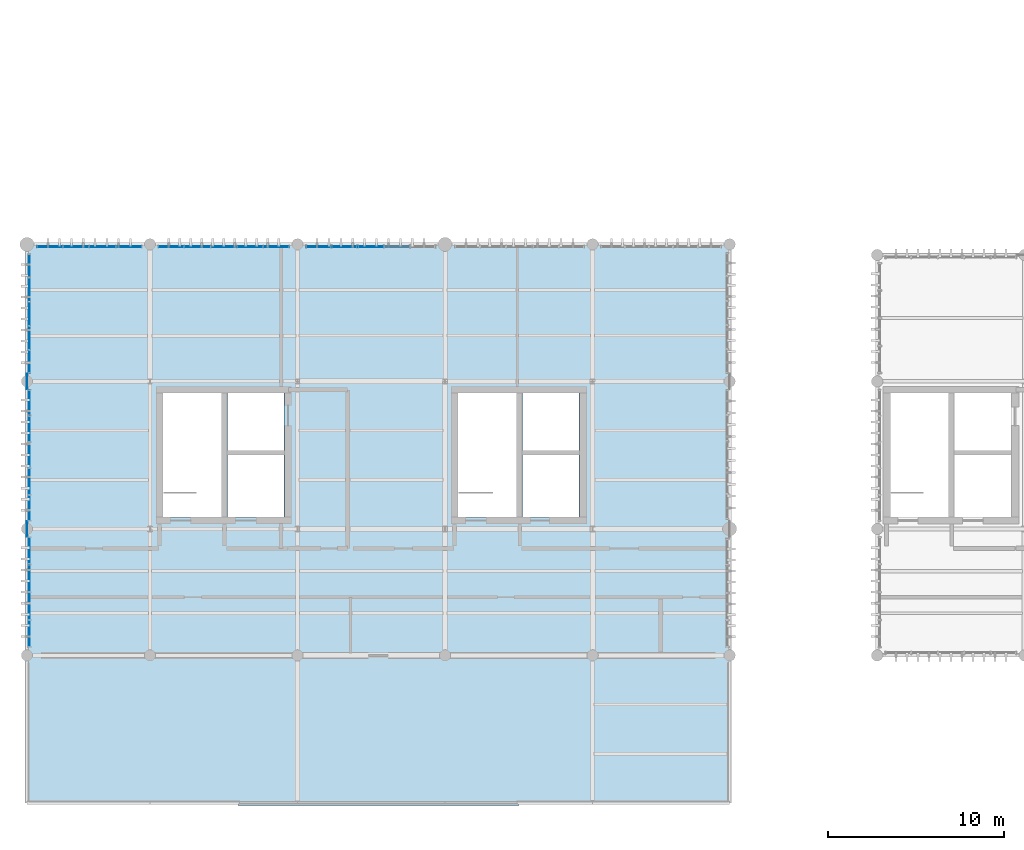
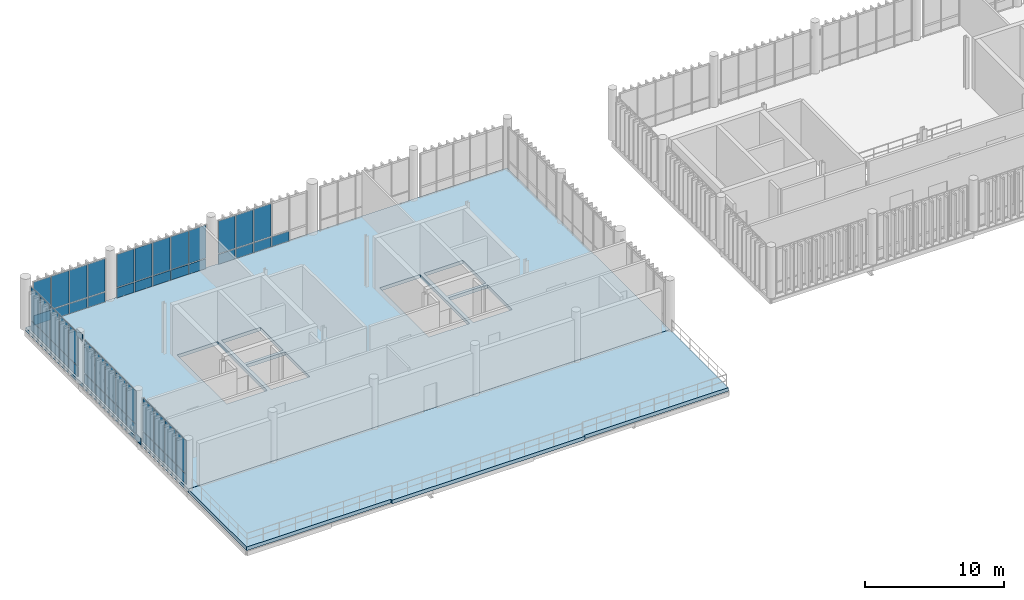
# One storey, part 49 of 66: 55 plates, 2 slabs, 6 elements without a shape of their own.
"""IFC4 building model written with IfcOpenShell, lengths in metres."""

from ifc_helpers import new_model, si_unit, direction, frame, frame_2d, origin_with_axes, origin_2d_with_axis, place, context, subcontext, project, spatial, polyline, rectangle, outline, extrude, material, layer, layer_set, type_object, element, aggregate, save


model = new_model("IFC4")

# Units and contexts
model_context = context("Model", 3, precision=1e-05, world=origin_with_axes(), true_north=direction((0.0, 1.0)))
body_context = subcontext(model_context, "Body", "Model", "MODEL_VIEW")
ifc_project = project(units=[si_unit("LENGTHUNIT", "METRE"), si_unit("AREAUNIT", "SQUARE_METRE"), si_unit("VOLUMEUNIT", "CUBIC_METRE"), si_unit("PLANEANGLEUNIT", "RADIAN"), si_unit("MASSUNIT", "GRAM", prefix="KILO"), si_unit("THERMODYNAMICTEMPERATUREUNIT", "KELVIN")], contexts=[model_context])

# Site, building, storey
site_placement = place(None, origin_with_axes())
site = spatial("IfcSite", under=ifc_project, at=site_placement, CompositionType="ELEMENT")
building_placement = place(site_placement, origin_with_axes())
building = spatial("IfcBuilding", under=site, at=building_placement, Name="Montbau Bow Law Courts", CompositionType="ELEMENT")
storey_placement = place(building_placement, frame((0.0, 0.0, 34.5), z_axis=(0.0, 0.0, 1.0), x_axis=(1.0, 0.0, 0.0)))
storey = spatial("IfcBuildingStorey", under=building, at=storey_placement, Name="L07", CompositionType="ELEMENT", Elevation=34.5)

# Curtain wall, plates
ifc_material_1 = material(Name="Thermally Broken Extruded Aluminium AA 6063-T6", Category="aluminium")
curtain_wall_type = type_object("IfcCurtainWallType", Name="CW-TRC-02", PredefinedType="NOTDEFINED", material=ifc_material_1)
curtain_wall_1_placement = place(None, frame((7.315, 62.26, 34.5), z_axis=(0.0, 0.0, 1.0), x_axis=(1.0, 0.0, 0.0)))
curtain_wall_1 = element("IfcCurtainWall", 1, at=curtain_wall_1_placement, inside=storey, type_object=curtain_wall_type, Name="CW-L07-112:cw_0112", PredefinedType="NOTDEFINED")
ifc_material_2 = material(Name="Triple-Glazed Low-E Argon Insulating Glass Unit", Category="glass")
ifc_layer_1 = layer(ifc_material_2, 0.044, Name="Curtain Panel", Category="glass")
ifc_layer_set_1 = layer_set([ifc_layer_1], Name="Triple-Glazed Low-E Argon Insulating Glass Unit")
plate_type_1 = type_object("IfcPlateType", Name="PL-CWP-01", PredefinedType="CURTAIN_PANEL", material=ifc_layer_set_1)
plate_1_placement = place(None, frame((7.383, 62.26, 35.482), z_axis=(0.0, -1.0, 0.0), x_axis=(1.0, 0.0, 0.0)))
plate_1 = element("IfcPlate", 2, at=plate_1_placement, type_object=plate_type_1, Name="CW-L07-112-P01-2:cw_0112_P01_2", PredefinedType="CURTAIN_PANEL", context=body_context, shape_type="SweptSolid", body=[
    extrude(rectangle(XDim=1.408, YDim=2.876, at=frame_2d((0.704, 1.438), x_axis=(1.0, 0.0))), frame((0.0, 0.0, -0.022), z_axis=(0.0, 0.0, 1.0), x_axis=(1.0, 0.0, 0.0)), (0.0, 0.0, 1.0), 0.044),
])
plate_2_placement = place(None, frame((8.86, 62.26, 35.482), z_axis=(0.0, -1.0, 0.0), x_axis=(1.0, 0.0, 0.0)))
plate_2 = element("IfcPlate", 3, at=plate_2_placement, type_object=plate_type_1, Name="CW-L07-112-P02-2:cw_0112_P02_2", PredefinedType="CURTAIN_PANEL", context=body_context, shape_type="SweptSolid", body=[
    extrude(rectangle(XDim=1.442, YDim=2.876, at=frame_2d((0.721, 1.438), x_axis=(1.0, 0.0))), frame((0.0, 0.0, -0.022), z_axis=(0.0, 0.0, 1.0), x_axis=(1.0, 0.0, 0.0)), (0.0, 0.0, 1.0), 0.044),
])
plate_3_placement = place(None, frame((10.371, 62.26, 35.482), z_axis=(0.0, -1.0, 0.0), x_axis=(1.0, 0.0, 0.0)))
plate_3 = element("IfcPlate", 4, at=plate_3_placement, type_object=plate_type_1, Name="CW-L07-112-P03-2:cw_0112_P03_2", PredefinedType="CURTAIN_PANEL", context=body_context, shape_type="SweptSolid", body=[
    extrude(rectangle(XDim=1.444, YDim=2.876, at=frame_2d((0.722, 1.438), x_axis=(1.0, 0.0))), frame((0.0, 0.0, -0.022), z_axis=(0.0, 0.0, 1.0), x_axis=(1.0, 0.0, 0.0)), (0.0, 0.0, 1.0), 0.044),
])
plate_4_placement = place(None, frame((11.883, 62.26, 35.482), z_axis=(0.0, -1.0, 0.0), x_axis=(1.0, 0.0, 0.0)))
plate_4 = element("IfcPlate", 5, at=plate_4_placement, type_object=plate_type_1, Name="CW-L07-112-P04-2:cw_0112_P04_2", PredefinedType="CURTAIN_PANEL", context=body_context, shape_type="SweptSolid", body=[
    extrude(rectangle(XDim=1.41, YDim=2.876, at=frame_2d((0.705, 1.438), x_axis=(1.0, 0.0))), frame((0.0, 0.0, -0.022), z_axis=(0.0, 0.0, 1.0), x_axis=(1.0, 0.0, 0.0)), (0.0, 0.0, 1.0), 0.044),
])

curtain_wall_2_placement = place(None, frame((14.24, 62.26, 34.5), z_axis=(0.0, 0.0, 1.0), x_axis=(1.0, 0.0, 0.0)))
curtain_wall_2 = element("IfcCurtainWall", 6, at=curtain_wall_2_placement, inside=storey, type_object=curtain_wall_type, Name="CW-L07-113:cw_0113", PredefinedType="NOTDEFINED")
plate_5_placement = place(None, frame((14.302, 62.26, 35.48), z_axis=(0.0, -1.0, 0.0), x_axis=(1.0, 0.0, 0.0)))
plate_5 = element("IfcPlate", 7, at=plate_5_placement, type_object=plate_type_1, Name="CW-L07-113-P01-2:cw_0113_P01_2", PredefinedType="CURTAIN_PANEL", context=body_context, shape_type="SweptSolid", body=[
    extrude(rectangle(XDim=1.41, YDim=2.882, at=frame_2d((0.705, 1.441), x_axis=(1.0, 0.0))), frame((0.0, 0.0, -0.022), z_axis=(0.0, 0.0, 1.0), x_axis=(1.0, 0.0, 0.0)), (0.0, 0.0, 1.0), 0.044),
])
plate_6_placement = place(None, frame((15.776, 62.26, 35.48), z_axis=(0.0, -1.0, 0.0), x_axis=(1.0, 0.0, 0.0)))
plate_6 = element("IfcPlate", 8, at=plate_6_placement, type_object=plate_type_1, Name="CW-L07-113-P02-2:cw_0113_P02_2", PredefinedType="CURTAIN_PANEL", context=body_context, shape_type="SweptSolid", body=[
    extrude(rectangle(XDim=1.44, YDim=2.882, at=frame_2d((0.72, 1.441), x_axis=(1.0, 0.0))), frame((0.0, 0.0, -0.022), z_axis=(0.0, 0.0, 1.0), x_axis=(1.0, 0.0, 0.0)), (0.0, 0.0, 1.0), 0.044),
])
plate_7_placement = place(None, frame((17.28, 62.26, 35.48), z_axis=(0.0, -1.0, 0.0), x_axis=(1.0, 0.0, 0.0)))
plate_7 = element("IfcPlate", 9, at=plate_7_placement, type_object=plate_type_1, Name="CW-L07-113-P03-2:cw_0113_P03_2", PredefinedType="CURTAIN_PANEL", context=body_context, shape_type="SweptSolid", body=[
    extrude(rectangle(XDim=1.44, YDim=2.882, at=frame_2d((0.72, 1.441), x_axis=(1.0, 0.0))), frame((0.0, 0.0, -0.022), z_axis=(0.0, 0.0, 1.0), x_axis=(1.0, 0.0, 0.0)), (0.0, 0.0, 1.0), 0.044),
])
plate_8_placement = place(None, frame((18.784, 62.26, 35.48), z_axis=(0.0, -1.0, 0.0), x_axis=(1.0, 0.0, 0.0)))
plate_8 = element("IfcPlate", 10, at=plate_8_placement, type_object=plate_type_1, Name="CW-L07-113-P04-2:cw_0113_P04_2", PredefinedType="CURTAIN_PANEL", context=body_context, shape_type="SweptSolid", body=[
    extrude(rectangle(XDim=1.44, YDim=2.882, at=frame_2d((0.72, 1.441), x_axis=(1.0, 0.0))), frame((0.0, 0.0, -0.022), z_axis=(0.0, 0.0, 1.0), x_axis=(1.0, 0.0, 0.0)), (0.0, 0.0, 1.0), 0.044),
])
plate_9_placement = place(None, frame((20.288, 62.26, 35.48), z_axis=(0.0, -1.0, 0.0), x_axis=(1.0, 0.0, 0.0)))
plate_9 = element("IfcPlate", 11, at=plate_9_placement, type_object=plate_type_1, Name="CW-L07-113-P05-2:cw_0113_P05_2", PredefinedType="CURTAIN_PANEL", context=body_context, shape_type="SweptSolid", body=[
    extrude(rectangle(XDim=1.41, YDim=2.882, at=frame_2d((0.705, 1.441), x_axis=(1.0, 0.0))), frame((0.0, 0.0, -0.022), z_axis=(0.0, 0.0, 1.0), x_axis=(1.0, 0.0, 0.0)), (0.0, 0.0, 1.0), 0.044),
])

curtain_wall_3_placement = place(None, frame((22.64, 62.26, 34.5), z_axis=(0.0, 0.0, 1.0), x_axis=(1.0, 0.0, 0.0)))
curtain_wall_3 = element("IfcCurtainWall", 12, at=curtain_wall_3_placement, inside=storey, type_object=curtain_wall_type, Name="CW-L07-114:cw_0114", PredefinedType="NOTDEFINED")
plate_10_placement = place(None, frame((22.716, 62.26, 35.482), z_axis=(0.0, -1.0, 0.0), x_axis=(1.0, 0.0, 0.0)))
plate_10 = element("IfcPlate", 13, at=plate_10_placement, type_object=plate_type_1, Name="CW-L07-114-P01-2:cw_0114_P01_2", PredefinedType="CURTAIN_PANEL", context=body_context, shape_type="SweptSolid", body=[
    extrude(rectangle(XDim=1.374, YDim=2.876, at=frame_2d((0.687, 1.438), x_axis=(1.0, 0.0))), frame((0.0, 0.0, -0.022), z_axis=(0.0, 0.0, 1.0), x_axis=(1.0, 0.0, 0.0)), (0.0, 0.0, 1.0), 0.044),
])
plate_11_placement = place(None, frame((24.169, 62.26, 35.482), z_axis=(0.0, -1.0, 0.0), x_axis=(1.0, 0.0, 0.0)))
plate_11 = element("IfcPlate", 14, at=plate_11_placement, type_object=plate_type_1, Name="CW-L07-114-P02-2:cw_0114_P02_2", PredefinedType="CURTAIN_PANEL", context=body_context, shape_type="SweptSolid", body=[
    extrude(rectangle(XDim=1.41, YDim=2.876, at=frame_2d((0.705, 1.438), x_axis=(1.0, 0.0))), frame((0.0, 0.0, -0.022), z_axis=(0.0, 0.0, 1.0), x_axis=(1.0, 0.0, 0.0)), (0.0, 0.0, 1.0), 0.044),
])
plate_12_placement = place(None, frame((25.658, 62.26, 35.482), z_axis=(0.0, -1.0, 0.0), x_axis=(1.0, 0.0, 0.0)))
plate_12 = element("IfcPlate", 15, at=plate_12_placement, type_object=plate_type_1, Name="CW-L07-114-P03-2:cw_0114_P03_2", PredefinedType="CURTAIN_PANEL", context=body_context, shape_type="SweptSolid", body=[
    extrude(rectangle(XDim=1.41, YDim=2.876, at=frame_2d((0.705, 1.438), x_axis=(1.0, 0.0))), frame((0.0, 0.0, -0.022), z_axis=(0.0, 0.0, 1.0), x_axis=(1.0, 0.0, 0.0)), (0.0, 0.0, 1.0), 0.044),
])

curtain_wall_4_placement = place(None, frame((6.94, 39.44, 34.5), z_axis=(0.0, 0.0, 1.0), x_axis=(1.0, 0.0, 0.0)))
curtain_wall_4 = element("IfcCurtainWall", 16, at=curtain_wall_4_placement, inside=storey, type_object=curtain_wall_type, Name="CW-L07-117:cw_0117", PredefinedType="NOTDEFINED")
plate_13_placement = place(None, frame((6.94, 39.516, 35.48), z_axis=(1.0, 0.0, 0.0), x_axis=(0.0, 1.0, 0.0)))
plate_13 = element("IfcPlate", 17, at=plate_13_placement, type_object=plate_type_1, Name="CW-L07-117-P01-2:cw_0117_P01_2", PredefinedType="CURTAIN_PANEL", context=body_context, shape_type="SweptSolid", body=[
    extrude(rectangle(XDim=1.464, YDim=2.882, at=frame_2d((0.732, 1.441), x_axis=(1.0, 0.0))), frame((0.0, 0.0, -0.022), z_axis=(0.0, 0.0, 1.0), x_axis=(1.0, 0.0, 0.0)), (0.0, 0.0, 1.0), 0.044),
])
plate_14_placement = place(None, frame((6.94, 41.06, 35.48), z_axis=(1.0, 0.0, 0.0), x_axis=(0.0, 1.0, 0.0)))
plate_14 = element("IfcPlate", 18, at=plate_14_placement, type_object=plate_type_1, Name="CW-L07-117-P02-2:cw_0117_P02_2", PredefinedType="CURTAIN_PANEL", context=body_context, shape_type="SweptSolid", body=[
    extrude(rectangle(XDim=1.501, YDim=2.882, at=frame_2d((0.7505, 1.441), x_axis=(1.0, 0.0))), frame((0.0, 0.0, -0.022), z_axis=(0.0, 0.0, 1.0), x_axis=(1.0, 0.0, 0.0)), (0.0, 0.0, 1.0), 0.044),
])
plate_15_placement = place(None, frame((6.94, 42.64, 35.48), z_axis=(1.0, 0.0, 0.0), x_axis=(0.0, 1.0, 0.0)))
plate_15 = element("IfcPlate", 19, at=plate_15_placement, type_object=plate_type_1, Name="CW-L07-117-P03-2:cw_0117_P03_2", PredefinedType="CURTAIN_PANEL", context=body_context, shape_type="SweptSolid", body=[
    extrude(rectangle(XDim=1.501, YDim=2.882, at=frame_2d((0.7505, 1.441), x_axis=(1.0, 0.0))), frame((0.0, 0.0, -0.022), z_axis=(0.0, 0.0, 1.0), x_axis=(1.0, 0.0, 0.0)), (0.0, 0.0, 1.0), 0.044),
])
plate_16_placement = place(None, frame((6.94, 44.219, 35.48), z_axis=(1.0, 0.0, 0.0), x_axis=(0.0, 1.0, 0.0)))
plate_16 = element("IfcPlate", 20, at=plate_16_placement, type_object=plate_type_1, Name="CW-L07-117-P04-2:cw_0117_P04_2", PredefinedType="CURTAIN_PANEL", context=body_context, shape_type="SweptSolid", body=[
    extrude(rectangle(XDim=1.465, YDim=2.882, at=frame_2d((0.7325, 1.441), x_axis=(1.0, 0.0))), frame((0.0, 0.0, -0.022), z_axis=(0.0, 0.0, 1.0), x_axis=(1.0, 0.0, 0.0)), (0.0, 0.0, 1.0), 0.044),
])

curtain_wall_5_placement = place(None, frame((6.94, 46.64, 34.5), z_axis=(0.0, 0.0, 1.0), x_axis=(1.0, 0.0, 0.0)))
curtain_wall_5 = element("IfcCurtainWall", 21, at=curtain_wall_5_placement, inside=storey, type_object=curtain_wall_type, Name="CW-L07-118:cw_0118", PredefinedType="NOTDEFINED")
plate_17_placement = place(None, frame((6.94, 46.708, 35.482), z_axis=(1.0, 0.0, 0.0), x_axis=(0.0, 1.0, 0.0)))
plate_17 = element("IfcPlate", 22, at=plate_17_placement, type_object=plate_type_1, Name="CW-L07-118-P01-2:cw_0118_P01_2", PredefinedType="CURTAIN_PANEL", context=body_context, shape_type="SweptSolid", body=[
    extrude(rectangle(XDim=1.402, YDim=2.876, at=frame_2d((0.701, 1.438), x_axis=(1.0, 0.0))), frame((0.0, 0.0, -0.022), z_axis=(0.0, 0.0, 1.0), x_axis=(1.0, 0.0, 0.0)), (0.0, 0.0, 1.0), 0.044),
])
plate_18_placement = place(None, frame((6.94, 48.178, 35.482), z_axis=(1.0, 0.0, 0.0), x_axis=(0.0, 1.0, 0.0)))
plate_18 = element("IfcPlate", 23, at=plate_18_placement, type_object=plate_type_1, Name="CW-L07-118-P02-2:cw_0118_P02_2", PredefinedType="CURTAIN_PANEL", context=body_context, shape_type="SweptSolid", body=[
    extrude(rectangle(XDim=1.436, YDim=2.876, at=frame_2d((0.718, 1.438), x_axis=(1.0, 0.0))), frame((0.0, 0.0, -0.022), z_axis=(0.0, 0.0, 1.0), x_axis=(1.0, 0.0, 0.0)), (0.0, 0.0, 1.0), 0.044),
])
plate_19_placement = place(None, frame((6.94, 49.682, 35.482), z_axis=(1.0, 0.0, 0.0), x_axis=(0.0, 1.0, 0.0)))
plate_19 = element("IfcPlate", 24, at=plate_19_placement, type_object=plate_type_1, Name="CW-L07-118-P03-2:cw_0118_P03_2", PredefinedType="CURTAIN_PANEL", context=body_context, shape_type="SweptSolid", body=[
    extrude(rectangle(XDim=1.436, YDim=2.876, at=frame_2d((0.718, 1.438), x_axis=(1.0, 0.0))), frame((0.0, 0.0, -0.022), z_axis=(0.0, 0.0, 1.0), x_axis=(1.0, 0.0, 0.0)), (0.0, 0.0, 1.0), 0.044),
])
plate_20_placement = place(None, frame((6.94, 51.186, 35.482), z_axis=(1.0, 0.0, 0.0), x_axis=(0.0, 1.0, 0.0)))
plate_20 = element("IfcPlate", 25, at=plate_20_placement, type_object=plate_type_1, Name="CW-L07-118-P04-2:cw_0118_P04_2", PredefinedType="CURTAIN_PANEL", context=body_context, shape_type="SweptSolid", body=[
    extrude(rectangle(XDim=1.436, YDim=2.876, at=frame_2d((0.718, 1.438), x_axis=(1.0, 0.0))), frame((0.0, 0.0, -0.022), z_axis=(0.0, 0.0, 1.0), x_axis=(1.0, 0.0, 0.0)), (0.0, 0.0, 1.0), 0.044),
])
plate_21_placement = place(None, frame((6.94, 52.69, 35.482), z_axis=(1.0, 0.0, 0.0), x_axis=(0.0, 1.0, 0.0)))
plate_21 = element("IfcPlate", 26, at=plate_21_placement, type_object=plate_type_1, Name="CW-L07-118-P05-2:cw_0118_P05_2", PredefinedType="CURTAIN_PANEL", context=body_context, shape_type="SweptSolid", body=[
    extrude(rectangle(XDim=1.403, YDim=2.876, at=frame_2d((0.7015, 1.438), x_axis=(1.0, 0.0))), frame((0.0, 0.0, -0.022), z_axis=(0.0, 0.0, 1.0), x_axis=(1.0, 0.0, 0.0)), (0.0, 0.0, 1.0), 0.044),
])

curtain_wall_6_placement = place(None, frame((6.94, 55.04, 34.5), z_axis=(0.0, 0.0, 1.0), x_axis=(1.0, 0.0, 0.0)))
curtain_wall_6 = element("IfcCurtainWall", 27, at=curtain_wall_6_placement, inside=storey, type_object=curtain_wall_type, Name="CW-L07-119:cw_0119", PredefinedType="NOTDEFINED")
plate_22_placement = place(None, frame((6.94, 55.102, 35.48), z_axis=(1.0, 0.0, 0.0), x_axis=(0.0, 1.0, 0.0)))
plate_22 = element("IfcPlate", 28, at=plate_22_placement, type_object=plate_type_1, Name="CW-L07-119-P01-2:cw_0119_P01_2", PredefinedType="CURTAIN_PANEL", context=body_context, shape_type="SweptSolid", body=[
    extrude(rectangle(XDim=1.275, YDim=2.882, at=frame_2d((0.6375, 1.441), x_axis=(1.0, 0.0))), frame((0.0, 0.0, -0.022), z_axis=(0.0, 0.0, 1.0), x_axis=(1.0, 0.0, 0.0)), (0.0, 0.0, 1.0), 0.044),
])
plate_23_placement = place(None, frame((6.94, 56.441, 35.48), z_axis=(1.0, 0.0, 0.0), x_axis=(0.0, 1.0, 0.0)))
plate_23 = element("IfcPlate", 29, at=plate_23_placement, type_object=plate_type_1, Name="CW-L07-119-P02-2:cw_0119_P02_2", PredefinedType="CURTAIN_PANEL", context=body_context, shape_type="SweptSolid", body=[
    extrude(rectangle(XDim=1.305, YDim=2.882, at=frame_2d((0.6525, 1.441), x_axis=(1.0, 0.0))), frame((0.0, 0.0, -0.022), z_axis=(0.0, 0.0, 1.0), x_axis=(1.0, 0.0, 0.0)), (0.0, 0.0, 1.0), 0.044),
])
plate_24_placement = place(None, frame((6.94, 57.81, 35.48), z_axis=(1.0, 0.0, 0.0), x_axis=(0.0, 1.0, 0.0)))
plate_24 = element("IfcPlate", 30, at=plate_24_placement, type_object=plate_type_1, Name="CW-L07-119-P03-2:cw_0119_P03_2", PredefinedType="CURTAIN_PANEL", context=body_context, shape_type="SweptSolid", body=[
    extrude(rectangle(XDim=1.305, YDim=2.882, at=frame_2d((0.6525, 1.441), x_axis=(1.0, 0.0))), frame((0.0, 0.0, -0.022), z_axis=(0.0, 0.0, 1.0), x_axis=(1.0, 0.0, 0.0)), (0.0, 0.0, 1.0), 0.044),
])
plate_25_placement = place(None, frame((6.94, 59.179, 35.48), z_axis=(1.0, 0.0, 0.0), x_axis=(0.0, 1.0, 0.0)))
plate_25 = element("IfcPlate", 31, at=plate_25_placement, type_object=plate_type_1, Name="CW-L07-119-P04-2:cw_0119_P04_2", PredefinedType="CURTAIN_PANEL", context=body_context, shape_type="SweptSolid", body=[
    extrude(rectangle(XDim=1.305, YDim=2.882, at=frame_2d((0.6525, 1.441), x_axis=(1.0, 0.0))), frame((0.0, 0.0, -0.022), z_axis=(0.0, 0.0, 1.0), x_axis=(1.0, 0.0, 0.0)), (0.0, 0.0, 1.0), 0.044),
])
plate_26_placement = place(None, frame((6.94, 60.548, 35.48), z_axis=(1.0, 0.0, 0.0), x_axis=(0.0, 1.0, 0.0)))
plate_26 = element("IfcPlate", 32, at=plate_26_placement, type_object=plate_type_1, Name="CW-L07-119-P05-2:cw_0119_P05_2", PredefinedType="CURTAIN_PANEL", context=body_context, shape_type="SweptSolid", body=[
    extrude(rectangle(XDim=1.275, YDim=2.882, at=frame_2d((0.6375, 1.441), x_axis=(1.0, 0.0))), frame((0.0, 0.0, -0.022), z_axis=(0.0, 0.0, 1.0), x_axis=(1.0, 0.0, 0.0)), (0.0, 0.0, 1.0), 0.044),
])

# Plate
ifc_material_3 = material(Name="Insulated Ceramic-Frit Spandrel Glazing Unit", Category="glass")
ifc_layer_2 = layer(ifc_material_3, 0.056, Name="Curtain Panel", Category="glass")
ifc_layer_set_2 = layer_set([ifc_layer_2], Name="Insulated Ceramic-Frit Spandrel Glazing Unit")
plate_type_2 = type_object("IfcPlateType", Name="PL-CWP-02", PredefinedType="CURTAIN_PANEL", material=ifc_layer_set_2)
plate_27_placement = place(None, frame((7.383, 62.26, 34.562), z_axis=(0.0, -1.0, 0.0), x_axis=(1.0, 0.0, 0.0)))
plate_27 = element("IfcPlate", 33, at=plate_27_placement, type_object=plate_type_2, Name="CW-L07-112-P01-1:cw_0112_P01_1", PredefinedType="CURTAIN_PANEL", context=body_context, shape_type="SweptSolid", body=[
    extrude(rectangle(XDim=1.408, YDim=0.856, at=frame_2d((0.704, 0.428), x_axis=(1.0, 0.0))), frame((0.0, 0.0, -0.028), z_axis=(0.0, 0.0, 1.0), x_axis=(1.0, 0.0, 0.0)), (0.0, 0.0, 1.0), 0.056),
])

plate_28_placement = place(None, frame((8.86, 62.26, 34.562), z_axis=(0.0, -1.0, 0.0), x_axis=(1.0, 0.0, 0.0)))
plate_28 = element("IfcPlate", 34, at=plate_28_placement, type_object=plate_type_2, Name="CW-L07-112-P02-1:cw_0112_P02_1", PredefinedType="CURTAIN_PANEL", context=body_context, shape_type="SweptSolid", body=[
    extrude(rectangle(XDim=1.442, YDim=0.856, at=frame_2d((0.721, 0.428), x_axis=(1.0, 0.0))), frame((0.0, 0.0, -0.028), z_axis=(0.0, 0.0, 1.0), x_axis=(1.0, 0.0, 0.0)), (0.0, 0.0, 1.0), 0.056),
])

plate_29_placement = place(None, frame((10.371, 62.26, 34.562), z_axis=(0.0, -1.0, 0.0), x_axis=(1.0, 0.0, 0.0)))
plate_29 = element("IfcPlate", 35, at=plate_29_placement, type_object=plate_type_2, Name="CW-L07-112-P03-1:cw_0112_P03_1", PredefinedType="CURTAIN_PANEL", context=body_context, shape_type="SweptSolid", body=[
    extrude(rectangle(XDim=1.444, YDim=0.856, at=frame_2d((0.722, 0.428), x_axis=(1.0, 0.0))), frame((0.0, 0.0, -0.028), z_axis=(0.0, 0.0, 1.0), x_axis=(1.0, 0.0, 0.0)), (0.0, 0.0, 1.0), 0.056),
])

plate_30_placement = place(None, frame((11.883, 62.26, 34.562), z_axis=(0.0, -1.0, 0.0), x_axis=(1.0, 0.0, 0.0)))
plate_30 = element("IfcPlate", 36, at=plate_30_placement, type_object=plate_type_2, Name="CW-L07-112-P04-1:cw_0112_P04_1", PredefinedType="CURTAIN_PANEL", context=body_context, shape_type="SweptSolid", body=[
    extrude(rectangle(XDim=1.41, YDim=0.856, at=frame_2d((0.705, 0.428), x_axis=(1.0, 0.0))), frame((0.0, 0.0, -0.028), z_axis=(0.0, 0.0, 1.0), x_axis=(1.0, 0.0, 0.0)), (0.0, 0.0, 1.0), 0.056),
])

aggregate(curtain_wall_1, [plate_27, plate_1, plate_28, plate_2, plate_29, plate_3, plate_30, plate_4])

plate_31_placement = place(None, frame((14.302, 62.26, 34.558), z_axis=(0.0, -1.0, 0.0), x_axis=(1.0, 0.0, 0.0)))
plate_31 = element("IfcPlate", 37, at=plate_31_placement, type_object=plate_type_2, Name="CW-L07-113-P01-1:cw_0113_P01_1", PredefinedType="CURTAIN_PANEL", context=body_context, shape_type="SweptSolid", body=[
    extrude(rectangle(XDim=1.41, YDim=0.862, at=frame_2d((0.705, 0.431), x_axis=(1.0, 0.0))), frame((0.0, 0.0, -0.028), z_axis=(0.0, 0.0, 1.0), x_axis=(1.0, 0.0, 0.0)), (0.0, 0.0, 1.0), 0.056),
])

plate_32_placement = place(None, frame((15.776, 62.26, 34.558), z_axis=(0.0, -1.0, 0.0), x_axis=(1.0, 0.0, 0.0)))
plate_32 = element("IfcPlate", 38, at=plate_32_placement, type_object=plate_type_2, Name="CW-L07-113-P02-1:cw_0113_P02_1", PredefinedType="CURTAIN_PANEL", context=body_context, shape_type="SweptSolid", body=[
    extrude(rectangle(XDim=1.44, YDim=0.862, at=frame_2d((0.72, 0.431), x_axis=(1.0, 0.0))), frame((0.0, 0.0, -0.028), z_axis=(0.0, 0.0, 1.0), x_axis=(1.0, 0.0, 0.0)), (0.0, 0.0, 1.0), 0.056),
])

plate_33_placement = place(None, frame((17.28, 62.26, 34.558), z_axis=(0.0, -1.0, 0.0), x_axis=(1.0, 0.0, 0.0)))
plate_33 = element("IfcPlate", 39, at=plate_33_placement, type_object=plate_type_2, Name="CW-L07-113-P03-1:cw_0113_P03_1", PredefinedType="CURTAIN_PANEL", context=body_context, shape_type="SweptSolid", body=[
    extrude(rectangle(XDim=1.44, YDim=0.862, at=frame_2d((0.72, 0.431), x_axis=(1.0, 0.0))), frame((0.0, 0.0, -0.028), z_axis=(0.0, 0.0, 1.0), x_axis=(1.0, 0.0, 0.0)), (0.0, 0.0, 1.0), 0.056),
])

plate_34_placement = place(None, frame((18.784, 62.26, 34.558), z_axis=(0.0, -1.0, 0.0), x_axis=(1.0, 0.0, 0.0)))
plate_34 = element("IfcPlate", 40, at=plate_34_placement, type_object=plate_type_2, Name="CW-L07-113-P04-1:cw_0113_P04_1", PredefinedType="CURTAIN_PANEL", context=body_context, shape_type="SweptSolid", body=[
    extrude(rectangle(XDim=1.44, YDim=0.862, at=frame_2d((0.72, 0.431), x_axis=(1.0, 0.0))), frame((0.0, 0.0, -0.028), z_axis=(0.0, 0.0, 1.0), x_axis=(1.0, 0.0, 0.0)), (0.0, 0.0, 1.0), 0.056),
])

plate_35_placement = place(None, frame((20.288, 62.26, 34.558), z_axis=(0.0, -1.0, 0.0), x_axis=(1.0, 0.0, 0.0)))
plate_35 = element("IfcPlate", 41, at=plate_35_placement, type_object=plate_type_2, Name="CW-L07-113-P05-1:cw_0113_P05_1", PredefinedType="CURTAIN_PANEL", context=body_context, shape_type="SweptSolid", body=[
    extrude(rectangle(XDim=1.41, YDim=0.862, at=frame_2d((0.705, 0.431), x_axis=(1.0, 0.0))), frame((0.0, 0.0, -0.028), z_axis=(0.0, 0.0, 1.0), x_axis=(1.0, 0.0, 0.0)), (0.0, 0.0, 1.0), 0.056),
])

aggregate(curtain_wall_2, [plate_31, plate_5, plate_32, plate_6, plate_33, plate_7, plate_34, plate_8, plate_35, plate_9])

plate_36_placement = place(None, frame((22.716, 62.26, 34.562), z_axis=(0.0, -1.0, 0.0), x_axis=(1.0, 0.0, 0.0)))
plate_36 = element("IfcPlate", 42, at=plate_36_placement, type_object=plate_type_2, Name="CW-L07-114-P01-1:cw_0114_P01_1", PredefinedType="CURTAIN_PANEL", context=body_context, shape_type="SweptSolid", body=[
    extrude(rectangle(XDim=1.374, YDim=0.856, at=frame_2d((0.687, 0.428), x_axis=(1.0, 0.0))), frame((0.0, 0.0, -0.028), z_axis=(0.0, 0.0, 1.0), x_axis=(1.0, 0.0, 0.0)), (0.0, 0.0, 1.0), 0.056),
])

plate_37_placement = place(None, frame((24.169, 62.26, 34.562), z_axis=(0.0, -1.0, 0.0), x_axis=(1.0, 0.0, 0.0)))
plate_37 = element("IfcPlate", 43, at=plate_37_placement, type_object=plate_type_2, Name="CW-L07-114-P02-1:cw_0114_P02_1", PredefinedType="CURTAIN_PANEL", context=body_context, shape_type="SweptSolid", body=[
    extrude(rectangle(XDim=1.41, YDim=0.856, at=frame_2d((0.705, 0.428), x_axis=(1.0, 0.0))), frame((0.0, 0.0, -0.028), z_axis=(0.0, 0.0, 1.0), x_axis=(1.0, 0.0, 0.0)), (0.0, 0.0, 1.0), 0.056),
])

plate_38_placement = place(None, frame((25.658, 62.26, 34.562), z_axis=(0.0, -1.0, 0.0), x_axis=(1.0, 0.0, 0.0)))
plate_38 = element("IfcPlate", 44, at=plate_38_placement, type_object=plate_type_2, Name="CW-L07-114-P03-1:cw_0114_P03_1", PredefinedType="CURTAIN_PANEL", context=body_context, shape_type="SweptSolid", body=[
    extrude(rectangle(XDim=1.41, YDim=0.856, at=frame_2d((0.705, 0.428), x_axis=(1.0, 0.0))), frame((0.0, 0.0, -0.028), z_axis=(0.0, 0.0, 1.0), x_axis=(1.0, 0.0, 0.0)), (0.0, 0.0, 1.0), 0.056),
])

plate_39_placement = place(None, frame((27.146, 62.26, 34.562), z_axis=(0.0, -1.0, 0.0), x_axis=(1.0, 0.0, 0.0)))
plate_39 = element("IfcPlate", 45, at=plate_39_placement, type_object=plate_type_2, Name="CW-L07-114-P04-1:cw_0114_P04_1", PredefinedType="CURTAIN_PANEL", context=body_context, shape_type="SweptSolid", body=[
    extrude(rectangle(XDim=1.411, YDim=0.856, at=frame_2d((0.7055, 0.428), x_axis=(1.0, 0.0))), frame((0.0, 0.0, -0.028), z_axis=(0.0, 0.0, 1.0), x_axis=(1.0, 0.0, 0.0)), (0.0, 0.0, 1.0), 0.056),
])

aggregate(curtain_wall_3, [plate_36, plate_10, plate_37, plate_11, plate_38, plate_12, plate_39])

plate_40_placement = place(None, frame((6.94, 39.516, 34.558), z_axis=(1.0, 0.0, 0.0), x_axis=(0.0, 1.0, 0.0)))
plate_40 = element("IfcPlate", 46, at=plate_40_placement, type_object=plate_type_2, Name="CW-L07-117-P01-1:cw_0117_P01_1", PredefinedType="CURTAIN_PANEL", context=body_context, shape_type="SweptSolid", body=[
    extrude(rectangle(XDim=1.464, YDim=0.862, at=frame_2d((0.732, 0.431), x_axis=(1.0, 0.0))), frame((0.0, 0.0, -0.028), z_axis=(0.0, 0.0, 1.0), x_axis=(1.0, 0.0, 0.0)), (0.0, 0.0, 1.0), 0.056),
])

plate_41_placement = place(None, frame((6.94, 41.06, 34.558), z_axis=(1.0, 0.0, 0.0), x_axis=(0.0, 1.0, 0.0)))
plate_41 = element("IfcPlate", 47, at=plate_41_placement, type_object=plate_type_2, Name="CW-L07-117-P02-1:cw_0117_P02_1", PredefinedType="CURTAIN_PANEL", context=body_context, shape_type="SweptSolid", body=[
    extrude(rectangle(XDim=1.501, YDim=0.862, at=frame_2d((0.7505, 0.431), x_axis=(1.0, 0.0))), frame((0.0, 0.0, -0.028), z_axis=(0.0, 0.0, 1.0), x_axis=(1.0, 0.0, 0.0)), (0.0, 0.0, 1.0), 0.056),
])

plate_42_placement = place(None, frame((6.94, 42.64, 34.558), z_axis=(1.0, 0.0, 0.0), x_axis=(0.0, 1.0, 0.0)))
plate_42 = element("IfcPlate", 48, at=plate_42_placement, type_object=plate_type_2, Name="CW-L07-117-P03-1:cw_0117_P03_1", PredefinedType="CURTAIN_PANEL", context=body_context, shape_type="SweptSolid", body=[
    extrude(rectangle(XDim=1.501, YDim=0.862, at=frame_2d((0.7505, 0.431), x_axis=(1.0, 0.0))), frame((0.0, 0.0, -0.028), z_axis=(0.0, 0.0, 1.0), x_axis=(1.0, 0.0, 0.0)), (0.0, 0.0, 1.0), 0.056),
])

plate_43_placement = place(None, frame((6.94, 44.219, 34.558), z_axis=(1.0, 0.0, 0.0), x_axis=(0.0, 1.0, 0.0)))
plate_43 = element("IfcPlate", 49, at=plate_43_placement, type_object=plate_type_2, Name="CW-L07-117-P04-1:cw_0117_P04_1", PredefinedType="CURTAIN_PANEL", context=body_context, shape_type="SweptSolid", body=[
    extrude(rectangle(XDim=1.465, YDim=0.862, at=frame_2d((0.7325, 0.431), x_axis=(1.0, 0.0))), frame((0.0, 0.0, -0.028), z_axis=(0.0, 0.0, 1.0), x_axis=(1.0, 0.0, 0.0)), (0.0, 0.0, 1.0), 0.056),
])

aggregate(curtain_wall_4, [plate_40, plate_13, plate_41, plate_14, plate_42, plate_15, plate_43, plate_16])

plate_44_placement = place(None, frame((6.94, 46.708, 34.562), z_axis=(1.0, 0.0, 0.0), x_axis=(0.0, 1.0, 0.0)))
plate_44 = element("IfcPlate", 50, at=plate_44_placement, type_object=plate_type_2, Name="CW-L07-118-P01-1:cw_0118_P01_1", PredefinedType="CURTAIN_PANEL", context=body_context, shape_type="SweptSolid", body=[
    extrude(rectangle(XDim=1.402, YDim=0.856, at=frame_2d((0.701, 0.428), x_axis=(1.0, 0.0))), frame((0.0, 0.0, -0.028), z_axis=(0.0, 0.0, 1.0), x_axis=(1.0, 0.0, 0.0)), (0.0, 0.0, 1.0), 0.056),
])

plate_45_placement = place(None, frame((6.94, 48.178, 34.562), z_axis=(1.0, 0.0, 0.0), x_axis=(0.0, 1.0, 0.0)))
plate_45 = element("IfcPlate", 51, at=plate_45_placement, type_object=plate_type_2, Name="CW-L07-118-P02-1:cw_0118_P02_1", PredefinedType="CURTAIN_PANEL", context=body_context, shape_type="SweptSolid", body=[
    extrude(rectangle(XDim=1.436, YDim=0.856, at=frame_2d((0.718, 0.428), x_axis=(1.0, 0.0))), frame((0.0, 0.0, -0.028), z_axis=(0.0, 0.0, 1.0), x_axis=(1.0, 0.0, 0.0)), (0.0, 0.0, 1.0), 0.056),
])

plate_46_placement = place(None, frame((6.94, 49.682, 34.562), z_axis=(1.0, 0.0, 0.0), x_axis=(0.0, 1.0, 0.0)))
plate_46 = element("IfcPlate", 52, at=plate_46_placement, type_object=plate_type_2, Name="CW-L07-118-P03-1:cw_0118_P03_1", PredefinedType="CURTAIN_PANEL", context=body_context, shape_type="SweptSolid", body=[
    extrude(rectangle(XDim=1.436, YDim=0.856, at=frame_2d((0.718, 0.428), x_axis=(1.0, 0.0))), frame((0.0, 0.0, -0.028), z_axis=(0.0, 0.0, 1.0), x_axis=(1.0, 0.0, 0.0)), (0.0, 0.0, 1.0), 0.056),
])

plate_47_placement = place(None, frame((6.94, 51.186, 34.562), z_axis=(1.0, 0.0, 0.0), x_axis=(0.0, 1.0, 0.0)))
plate_47 = element("IfcPlate", 53, at=plate_47_placement, type_object=plate_type_2, Name="CW-L07-118-P04-1:cw_0118_P04_1", PredefinedType="CURTAIN_PANEL", context=body_context, shape_type="SweptSolid", body=[
    extrude(rectangle(XDim=1.436, YDim=0.856, at=frame_2d((0.718, 0.428), x_axis=(1.0, 0.0))), frame((0.0, 0.0, -0.028), z_axis=(0.0, 0.0, 1.0), x_axis=(1.0, 0.0, 0.0)), (0.0, 0.0, 1.0), 0.056),
])

plate_48_placement = place(None, frame((6.94, 52.69, 34.562), z_axis=(1.0, 0.0, 0.0), x_axis=(0.0, 1.0, 0.0)))
plate_48 = element("IfcPlate", 54, at=plate_48_placement, type_object=plate_type_2, Name="CW-L07-118-P05-1:cw_0118_P05_1", PredefinedType="CURTAIN_PANEL", context=body_context, shape_type="SweptSolid", body=[
    extrude(rectangle(XDim=1.403, YDim=0.856, at=frame_2d((0.7015, 0.428), x_axis=(1.0, 0.0))), frame((0.0, 0.0, -0.028), z_axis=(0.0, 0.0, 1.0), x_axis=(1.0, 0.0, 0.0)), (0.0, 0.0, 1.0), 0.056),
])

aggregate(curtain_wall_5, [plate_44, plate_17, plate_45, plate_18, plate_46, plate_19, plate_47, plate_20, plate_48, plate_21])

plate_49_placement = place(None, frame((6.94, 55.102, 34.558), z_axis=(1.0, 0.0, 0.0), x_axis=(0.0, 1.0, 0.0)))
plate_49 = element("IfcPlate", 55, at=plate_49_placement, type_object=plate_type_2, Name="CW-L07-119-P01-1:cw_0119_P01_1", PredefinedType="CURTAIN_PANEL", context=body_context, shape_type="SweptSolid", body=[
    extrude(rectangle(XDim=1.275, YDim=0.862, at=frame_2d((0.6375, 0.431), x_axis=(1.0, 0.0))), frame((0.0, 0.0, -0.028), z_axis=(0.0, 0.0, 1.0), x_axis=(1.0, 0.0, 0.0)), (0.0, 0.0, 1.0), 0.056),
])

plate_50_placement = place(None, frame((6.94, 56.441, 34.558), z_axis=(1.0, 0.0, 0.0), x_axis=(0.0, 1.0, 0.0)))
plate_50 = element("IfcPlate", 56, at=plate_50_placement, type_object=plate_type_2, Name="CW-L07-119-P02-1:cw_0119_P02_1", PredefinedType="CURTAIN_PANEL", context=body_context, shape_type="SweptSolid", body=[
    extrude(rectangle(XDim=1.305, YDim=0.862, at=frame_2d((0.6525, 0.431), x_axis=(1.0, 0.0))), frame((0.0, 0.0, -0.028), z_axis=(0.0, 0.0, 1.0), x_axis=(1.0, 0.0, 0.0)), (0.0, 0.0, 1.0), 0.056),
])

plate_51_placement = place(None, frame((6.94, 57.81, 34.558), z_axis=(1.0, 0.0, 0.0), x_axis=(0.0, 1.0, 0.0)))
plate_51 = element("IfcPlate", 57, at=plate_51_placement, type_object=plate_type_2, Name="CW-L07-119-P03-1:cw_0119_P03_1", PredefinedType="CURTAIN_PANEL", context=body_context, shape_type="SweptSolid", body=[
    extrude(rectangle(XDim=1.305, YDim=0.862, at=frame_2d((0.6525, 0.431), x_axis=(1.0, 0.0))), frame((0.0, 0.0, -0.028), z_axis=(0.0, 0.0, 1.0), x_axis=(1.0, 0.0, 0.0)), (0.0, 0.0, 1.0), 0.056),
])

plate_52_placement = place(None, frame((6.94, 59.179, 34.558), z_axis=(1.0, 0.0, 0.0), x_axis=(0.0, 1.0, 0.0)))
plate_52 = element("IfcPlate", 58, at=plate_52_placement, type_object=plate_type_2, Name="CW-L07-119-P04-1:cw_0119_P04_1", PredefinedType="CURTAIN_PANEL", context=body_context, shape_type="SweptSolid", body=[
    extrude(rectangle(XDim=1.305, YDim=0.862, at=frame_2d((0.6525, 0.431), x_axis=(1.0, 0.0))), frame((0.0, 0.0, -0.028), z_axis=(0.0, 0.0, 1.0), x_axis=(1.0, 0.0, 0.0)), (0.0, 0.0, 1.0), 0.056),
])

plate_53_placement = place(None, frame((6.94, 60.548, 34.558), z_axis=(1.0, 0.0, 0.0), x_axis=(0.0, 1.0, 0.0)))
plate_53 = element("IfcPlate", 59, at=plate_53_placement, type_object=plate_type_2, Name="CW-L07-119-P05-1:cw_0119_P05_1", PredefinedType="CURTAIN_PANEL", context=body_context, shape_type="SweptSolid", body=[
    extrude(rectangle(XDim=1.275, YDim=0.862, at=frame_2d((0.6375, 0.431), x_axis=(1.0, 0.0))), frame((0.0, 0.0, -0.028), z_axis=(0.0, 0.0, 1.0), x_axis=(1.0, 0.0, 0.0)), (0.0, 0.0, 1.0), 0.056),
])

aggregate(curtain_wall_6, [plate_49, plate_22, plate_50, plate_23, plate_51, plate_24, plate_52, plate_25, plate_53, plate_26])

# Plates
ifc_material_4 = material(Name="Steel CSA G40.21 Grade 350WT (350 MPa)", Category="steel")
ifc_layer_3 = layer(ifc_material_4, 0.032, Name="Gusset Plate", Category="steel")
ifc_layer_set_3 = layer_set([ifc_layer_3], Name="Steel CSA G40.21 Grade 350WT (350 MPa)")
plate_type_3 = type_object("IfcPlateType", Name="PL-GUS-01", PredefinedType="USERDEFINED", material=ifc_layer_set_3)
for number, where, z_axis, x_axis, name in (
    (60, (6.8, 46.2, 34.27), (0.0, 0.0, 1.0), (0.0, 1.0, 0.0), "BGP-L07-106:plt_0137"),
    (61, (6.8, 54.6, 38.267), (0.0, 0.0, 1.0), (0.0, 1.0, 0.0), "BGP-L07-107:plt_0138"),
):
    element("IfcPlate", number, at=place(None, frame(where, z_axis=z_axis, x_axis=x_axis)), inside=storey, type_object=plate_type_3, Name=name, ObjectType="GUSSET_PLATE", PredefinedType="USERDEFINED", context=body_context, shape_type="SweptSolid", body=[
        extrude(rectangle(XDim=0.9, YDim=0.032, at=origin_2d_with_axis()), origin_with_axes(), (0.0, 0.0, 1.0), 0.56),
    ])

# Slabs
ifc_material_5 = material(Name="Concrete CSA A23.1 f'c 40 MPa", Category="concrete")
ifc_layer_4 = layer(ifc_material_5, 0.3, Name="Floor Slab", Category="concrete")
ifc_layer_set_4 = layer_set([ifc_layer_4], Name="Concrete CSA A23.1 f'c 40 MPa")
slab_type_1 = type_object("IfcSlabType", Name="SL-FLR-06", PredefinedType="FLOOR", material=ifc_layer_set_4)
slab_1_placement = place(None, frame((0.0, 0.0, 34.2), z_axis=(0.0, 0.0, 1.0), x_axis=(1.0, 0.0, 0.0)))
element("IfcSlab", 62, at=slab_1_placement, inside=storey, type_object=slab_type_1, Name="SL-V2-L07:slb_0014", PredefinedType="FLOOR", context=body_context, shape_type="SweptSolid", body=[
    extrude(outline(polyline([(6.8, 39.0), (46.8, 39.0), (46.8, 62.4), (6.8, 62.4), (6.8, 39.0)]), holes=[polyline([(14.52, 46.858), (17.9, 46.858), (17.9, 53.96), (14.52, 53.96), (14.52, 46.858)]), polyline([(18.2, 46.84), (21.435, 46.84), (21.435, 50.422), (18.2, 50.422), (18.2, 46.84)]), polyline([(18.2, 50.662), (21.435, 50.662), (21.435, 53.96), (18.2, 53.96), (18.2, 50.662)]), polyline([(31.32, 46.858), (34.7, 46.858), (34.7, 53.96), (31.32, 53.96), (31.32, 46.858)]), polyline([(35.0, 46.84), (38.235, 46.84), (38.235, 50.422), (35.0, 50.422), (35.0, 46.84)]), polyline([(35.0, 50.662), (38.235, 50.662), (38.235, 53.96), (35.0, 53.96), (35.0, 50.662)])]), origin_with_axes(), (0.0, 0.0, 1.0), 0.3),
])
ifc_layer_5 = layer(ifc_material_5, 0.32, Name="Floor Slab", Category="concrete")
ifc_layer_set_5 = layer_set([ifc_layer_5], Name="Concrete CSA A23.1 f'c 40 MPa")
slab_type_2 = type_object("IfcSlabType", Name="SL-TER-01", PredefinedType="FLOOR", material=ifc_layer_set_5)
slab_2_placement = place(None, frame((0.0, 0.0, 34.18), z_axis=(0.0, 0.0, 1.0), x_axis=(1.0, 0.0, 0.0)))
element("IfcSlab", 63, at=slab_2_placement, inside=storey, type_object=slab_type_2, Name="TER-L07-V2:slb_0044", PredefinedType="FLOOR", context=body_context, shape_type="SweptSolid", body=[
    extrude(outline(polyline([(6.8, 30.6), (18.8, 30.6), (18.8, 30.46), (34.8, 30.46), (34.8, 30.6), (46.8, 30.6), (46.8, 38.996), (6.8, 38.996), (6.8, 30.6)])), origin_with_axes(), (0.0, 0.0, 1.0), 0.32),
])

save(model, "model.ifc")
